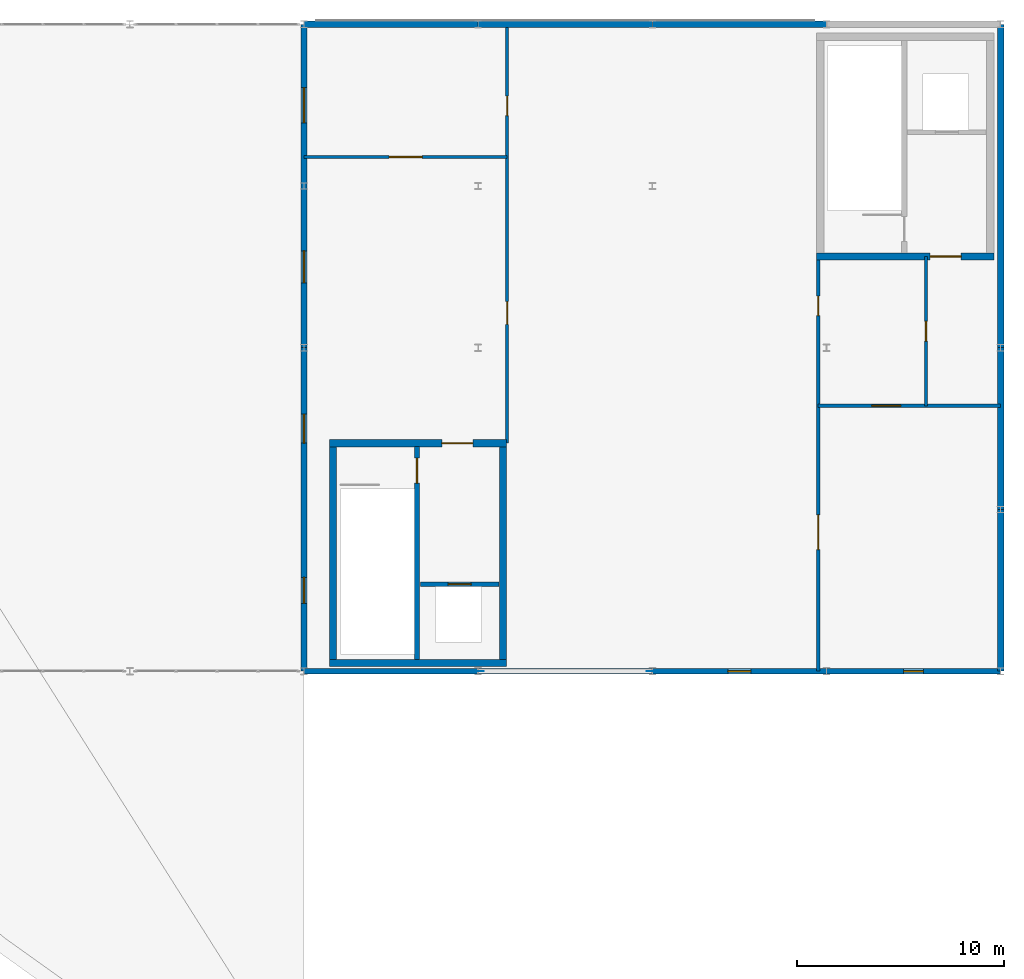
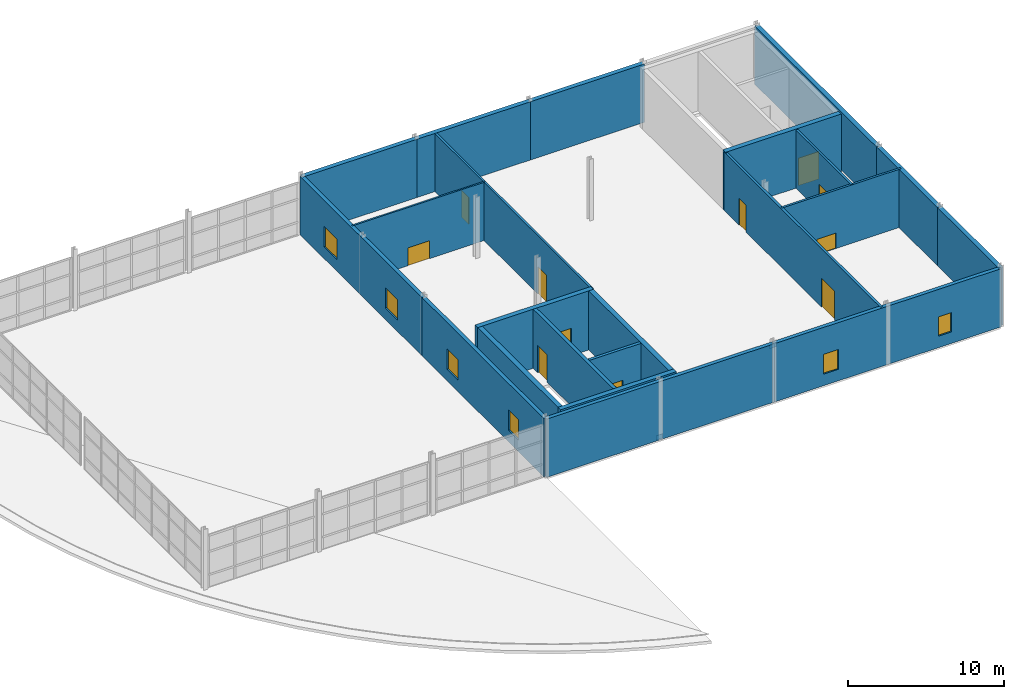
# One storey, part 12 of 14: 22 walls, 11 doors, 6 windows, 2 plates, 17 openings.
"""IFC4 building model written with IfcOpenShell, lengths in metres."""

from ifc_helpers import new_model, si_unit, direction, frame, frame_2d, origin, origin_2d, place, context, subcontext, project, spatial, rectangle, extrude, material, layer, layer_set, type_object, element, fill, save


model = new_model("IFC4")

# Units and contexts
model_context = context("Model", 3, precision=1e-05, world=origin(), true_north=direction((0.0, 1.0)))
body_context = subcontext(model_context, "Body", "Model", "MODEL_VIEW")
ifc_project = project(units=[si_unit("LENGTHUNIT", "METRE"), si_unit("AREAUNIT", "SQUARE_METRE"), si_unit("VOLUMEUNIT", "CUBIC_METRE"), si_unit("PLANEANGLEUNIT", "RADIAN"), si_unit("MASSUNIT", "GRAM", prefix="KILO")], contexts=[model_context])

# Site, building, storey
site_placement = place(None, origin())
site = spatial("IfcSite", under=ifc_project, at=site_placement, CompositionType="ELEMENT")
building_placement = place(site_placement, origin())
building = spatial("IfcBuilding", under=site, at=building_placement, Name="Selat Folded Stagehouse", CompositionType="ELEMENT")
storey_placement = place(building_placement, frame((0.0, 0.0, 27.60009765625)))
storey = spatial("IfcBuildingStorey", under=building, at=storey_placement, Name="L06", CompositionType="ELEMENT", Elevation=27.60009765625)

# Plates
ifc_material_1 = material(Name="Steel S355", Category="steel")
ifc_layer_1 = layer(ifc_material_1, 0.01806640625)
ifc_layer_set_1 = layer_set([ifc_layer_1], Name="Steel S355")
plate_type = type_object("IfcPlateType", Name="PLT-GUSSET-520x360x18", PredefinedType="USERDEFINED", material=ifc_layer_set_1)
for number, where, z_axis, x_axis, name in (
    (1, (42.0, 23.39990234375, -0.0302734375), (0.0, 0.0, 1.0), (1.0, 0.0, 0.0), "L06 VBR-07 end gusset plate 61"),
    (2, (50.39990234375, 23.39990234375, 4.169921875), (0.0, 0.0, 1.0), (1.0, 0.0, 0.0), "L06 VBR-07 end gusset plate 62"),
):
    element("IfcPlate", number, at=place(storey_placement, frame(where, z_axis=z_axis, x_axis=x_axis)), inside=storey, type_object=plate_type, Name=name, ObjectType="GUSSET_PLATE", PredefinedType="USERDEFINED", context=body_context, shape_type="SweptSolid", body=[
        extrude(rectangle(XDim=0.52001953125, YDim=0.01806640625, at=origin_2d()), origin(), (0.0, 0.0, 1.0), 0.360107421875),
    ])

# Wall, openings, doors
ifc_material_2 = material(Name="Concrete C40/50", Category="concrete")
ifc_layer_2 = layer(ifc_material_2, 0.179931640625)
ifc_layer_set_2 = layer_set([ifc_layer_2], Name="Concrete C40/50")
wall_type_1 = type_object("IfcWallType", Name="WAL-COMP-180", PredefinedType="STANDARD", material=ifc_layer_set_2)
wall_1_placement = place(storey_placement, frame((58.39990234375, 23.39990234375, 0.0), z_axis=(0.0, 0.0, 1.0), x_axis=(0.0, 1.0, 0.0)))
wall_1 = element("IfcWall", 3, at=wall_1_placement, inside=storey, type_object=wall_type_1, Name="L06 interior partition wall 132", PredefinedType="STANDARD", context=body_context, shape_type="SweptSolid", body=[
    extrude(rectangle(XDim=20.0, YDim=0.179931640625, at=frame_2d((10.0, 0.0))), origin(), (0.0, 0.0, 1.0), 4.552001953125),
])
opening_1_placement = place(wall_1_placement, frame((5.8623046875, 0.0, 0.0)))
opening_1 = element("IfcOpeningElement", 4, at=opening_1_placement, cuts=wall_1, Name="Opening PD-01", PredefinedType="OPENING", context=body_context, shape_type="SweptSolid", body=[
    extrude(rectangle(XDim=1.679931640625, YDim=2.25, at=frame_2d((0.83984375, 1.125))), frame((0.0, 0.099853515625, 0.0), z_axis=(0.0, -1.0, 0.0), x_axis=(1.0, 0.0, 0.0)), (0.0, 0.0, 1.0), 0.199951171875),
])
opening_2_placement = place(wall_1_placement, frame((17.154052734375, 0.0, 0.0)))
opening_2 = element("IfcOpeningElement", 5, at=opening_2_placement, cuts=wall_1, Name="Opening ID-03", PredefinedType="OPENING", context=body_context, shape_type="SweptSolid", body=[
    extrude(rectangle(XDim=0.93994140625, YDim=2.10009765625, at=frame_2d((0.469970703125, 1.050048828125))), frame((0.0, 0.099853515625, 0.0), z_axis=(0.0, -1.0, 0.0), x_axis=(1.0, 0.0, 0.0)), (0.0, 0.0, 1.0), 0.199951171875),
])
ifc_material_3 = material(Name="Backstage room single door", Category="wood")
door_type_1 = type_object("IfcDoorType", Name="DOR-GEN-0940", OperationType="NOTDEFINED", PredefinedType="DOOR", material=ifc_material_3)
door_1_placement = place(opening_2_placement, origin())
door_1 = element("IfcDoor", 6, at=door_1_placement, inside=storey, type_object=door_type_1, Name="L06 interior door IWAL-L06-132-2", OperationType="SINGLE_SWING_LEFT", OverallHeight=2.10009765625, OverallWidth=0.93994140625, PredefinedType="DOOR", context=body_context, shape_type="SweptSolid", body=[
    extrude(rectangle(XDim=0.93994140625, YDim=2.10009765625, at=frame_2d((0.469970703125, 1.050048828125))), frame((0.0, 0.02490234375, 0.0), z_axis=(0.0, -1.0, 0.0), x_axis=(1.0, 0.0, 0.0)), (0.0, 0.0, 1.0), 0.050048828125),
])
fill(opening_2, door_1)
ifc_material_4 = material(Name="Plant room steel double door", Category="steel")
door_type_2 = type_object("IfcDoorType", Name="DOR-PLT-1680", OperationType="NOTDEFINED", PredefinedType="DOOR", material=ifc_material_4)
door_2_placement = place(opening_1_placement, origin())
door_2 = element("IfcDoor", 7, at=door_2_placement, inside=storey, type_object=door_type_2, Name="L06 interior door IWAL-L06-132-1", OperationType="SINGLE_SWING_RIGHT", OverallHeight=2.25, OverallWidth=1.679931640625, PredefinedType="DOOR", context=body_context, shape_type="SweptSolid", body=[
    extrude(rectangle(XDim=1.679931640625, YDim=2.25, at=frame_2d((0.83984375, 1.125))), frame((0.0, 0.02490234375, 0.0), z_axis=(0.0, -1.0, 0.0), x_axis=(1.0, 0.0, 0.0)), (0.0, 0.0, 1.0), 0.050048828125),
])
fill(opening_1, door_2)

# Wall, opening, door
ifc_layer_3 = layer(ifc_material_2, 0.215087890625)
ifc_layer_set_3 = layer_set([ifc_layer_3], Name="Concrete C40/50")
wall_type_2 = type_object("IfcWallType", Name="WAL-COMP-215", PredefinedType="STANDARD", material=ifc_layer_set_3)
wall_2_placement = place(storey_placement, frame((39.2099609375, 27.60009765625, 0.0), z_axis=(0.0, 0.0, 1.0), x_axis=(1.0, 0.0, 0.0)))
wall_2 = element("IfcWall", 8, at=wall_2_placement, inside=storey, type_object=wall_type_2, Name="L06 FL-01 lift shaft front wall", PredefinedType="STANDARD", context=body_context, shape_type="SweptSolid", body=[
    extrude(rectangle(XDim=3.794921875, YDim=0.215087890625, at=frame_2d((1.8974609375, 0.0))), origin(), (0.0, 0.0, 1.0), 4.61181640625),
])
opening_3_placement = place(wall_2_placement, frame((1.347412109375, 0.0, 0.0)))
opening_3 = element("IfcOpeningElement", 9, at=opening_3_placement, cuts=wall_2, Name="Opening LD-01", PredefinedType="OPENING", context=body_context, shape_type="SweptSolid", body=[
    extrude(rectangle(XDim=1.10009765625, YDim=2.199951171875, at=frame_2d((0.550048828125, 1.10009765625))), frame((0.0, 0.117431640625, 0.0), z_axis=(0.0, -1.0, 0.0), x_axis=(1.0, 0.0, 0.0)), (0.0, 0.0, 1.0), 0.235107421875),
])
ifc_material_5 = material(Name="Firefighting lift stainless sliding landing door", Category="wood")
door_type_3 = type_object("IfcDoorType", Name="DOR-LFT-1100", OperationType="NOTDEFINED", PredefinedType="DOOR", material=ifc_material_5)
door_3_placement = place(opening_3_placement, origin())
door_3 = element("IfcDoor", 10, at=door_3_placement, inside=storey, type_object=door_type_3, Name="L06 FL-01 lift sliding landing door", OperationType="SLIDING_TO_LEFT", OverallHeight=2.199951171875, OverallWidth=1.10009765625, PredefinedType="DOOR", context=body_context, shape_type="SweptSolid", body=[
    extrude(rectangle(XDim=1.10009765625, YDim=2.199951171875, at=frame_2d((0.550048828125, 1.10009765625))), frame((0.0, 0.02490234375, 0.0), z_axis=(0.0, -1.0, 0.0), x_axis=(1.0, 0.0, 0.0)), (0.0, 0.0, 1.0), 0.050048828125),
])
fill(opening_3, door_3)

ifc_material_6 = material(Name="Concrete C50/60", Category="concrete")
ifc_layer_4 = layer(ifc_material_6, 0.25)
ifc_layer_set_4 = layer_set([ifc_layer_4], Name="Concrete C50/60")
wall_type_3 = type_object("IfcWallType", Name="WAL-CORE-250", PredefinedType="SHEAR", material=ifc_layer_set_4)
wall_3_placement = place(storey_placement, frame((39.050048828125, 34.22509765625, 0.0), z_axis=(0.0, 0.0, 1.0), x_axis=(0.0, -1.0, 0.0)))
wall_3 = element("IfcWall", 11, at=wall_3_placement, inside=storey, type_object=wall_type_3, Name="L06 CR-1 internal core divider wall", PredefinedType="SHEAR", context=body_context, shape_type="SweptSolid", body=[
    extrude(rectangle(XDim=10.25, YDim=0.25, at=frame_2d((5.125, 0.0))), origin(), (0.0, 0.0, 1.0), 4.619873046875),
])
opening_4_placement = place(wall_3_placement, frame((0.550048828125, 0.0, 0.0)))
opening_4 = element("IfcOpeningElement", 12, at=opening_4_placement, cuts=wall_3, Name="Opening FD-120", PredefinedType="OPENING", context=body_context, shape_type="SweptSolid", body=[
    extrude(rectangle(XDim=1.199951171875, YDim=2.14990234375, at=frame_2d((0.60009765625, 1.074951171875))), frame((0.0, 0.135009765625, 0.0), z_axis=(0.0, -1.0, 0.0), x_axis=(1.0, 0.0, 0.0)), (0.0, 0.0, 1.0), 0.27001953125),
])
ifc_material_7 = material(Name="Fire-rated steel acoustic door", Category="steel")
door_type_4 = type_object("IfcDoorType", Name="DOR-FIRE-120", OperationType="NOTDEFINED", PredefinedType="DOOR", material=ifc_material_7)
door_4_placement = place(opening_4_placement, origin())
door_4 = element("IfcDoor", 13, at=door_4_placement, inside=storey, type_object=door_type_4, Name="L06 CR-1 protected stair fire door", OperationType="SINGLE_SWING_LEFT", OverallHeight=2.14990234375, OverallWidth=1.199951171875, PredefinedType="DOOR", context=body_context, shape_type="SweptSolid", body=[
    extrude(rectangle(XDim=1.199951171875, YDim=2.14990234375, at=frame_2d((0.60009765625, 1.074951171875))), frame((0.0, 0.02490234375, 0.0), z_axis=(0.0, -1.0, 0.0), x_axis=(1.0, 0.0, 0.0)), (0.0, 0.0, 1.0), 0.050048828125),
])
fill(opening_4, door_4)

# Wall, openings, windows
ifc_material_8 = material(Name="Precast concrete C40/50", Category="concrete")
ifc_layer_5 = layer(ifc_material_8, 0.27490234375)
ifc_layer_set_5 = layer_set([ifc_layer_5], Name="Precast concrete C40/50")
wall_type_4 = type_object("IfcWallType", Name="WAL-EXT-275", PredefinedType="STANDARD", material=ifc_layer_set_5)
wall_4_placement = place(storey_placement, frame((67.199951171875, 23.39990234375, 0.0), z_axis=(0.0, 0.0, 1.0), x_axis=(-1.0, 0.0, 0.0)))
wall_4 = element("IfcWall", 14, at=wall_4_placement, inside=storey, type_object=wall_type_4, Name="L06 exterior facade wall EW-L06-V2S-1", PredefinedType="STANDARD", context=body_context, shape_type="SweptSolid", body=[
    extrude(rectangle(XDim=16.800048828125, YDim=0.27490234375, at=frame_2d((8.39990234375, 0.0))), origin(), (0.0, 0.0, 1.0), 4.552001953125),
])
opening_5_placement = place(wall_4_placement, frame((3.72509765625, 0.0, 0.89990234375)))
opening_5 = element("IfcOpeningElement", 15, at=opening_5_placement, cuts=wall_4, Name="Opening WN-26", PredefinedType="OPENING", context=body_context, shape_type="SweptSolid", body=[
    extrude(rectangle(XDim=0.949951171875, YDim=1.5, at=frame_2d((0.47509765625, 0.75))), frame((0.0, 0.1474609375, 0.0), z_axis=(0.0, -1.0, 0.0), x_axis=(1.0, 0.0, 0.0)), (0.0, 0.0, 1.0), 0.294921875),
])
opening_6_placement = place(wall_4_placement, frame((12.050048828125, 0.0, 0.89990234375)))
opening_6 = element("IfcOpeningElement", 16, at=opening_6_placement, cuts=wall_4, Name="Opening WN-25", PredefinedType="OPENING", context=body_context, shape_type="SweptSolid", body=[
    extrude(rectangle(XDim=1.10009765625, YDim=1.550048828125, at=frame_2d((0.550048828125, 0.77490234375))), frame((0.0, 0.1474609375, 0.0), z_axis=(0.0, -1.0, 0.0), x_axis=(1.0, 0.0, 0.0)), (0.0, 0.0, 1.0), 0.294921875),
])
ifc_material_9 = material(Name="Thermally broken aluminium and acoustic low-E glass", Category="aluminium")
window_type_1 = type_object("IfcWindowType", Name="WIN-DR-0950x1500", PartitioningType="SINGLE_PANEL", PredefinedType="WINDOW", material=ifc_material_9)
window_1_placement = place(opening_5_placement, origin())
window_1 = element("IfcWindow", 17, at=window_1_placement, inside=storey, type_object=window_type_1, Name="L06 exterior window EW-L06-V2S-1-1", OverallHeight=1.5, OverallWidth=0.949951171875, PartitioningType="SINGLE_PANEL", PredefinedType="WINDOW", context=body_context, shape_type="SweptSolid", body=[
    extrude(rectangle(XDim=0.949951171875, YDim=1.5, at=frame_2d((0.47509765625, 0.75))), frame((0.0, 0.030029296875, 0.0), z_axis=(0.0, -1.0, 0.0), x_axis=(1.0, 0.0, 0.0)), (0.0, 0.0, 1.0), 0.06005859375),
])
fill(opening_5, window_1)
window_type_2 = type_object("IfcWindowType", Name="WIN-DR-1100x1550", PartitioningType="SINGLE_PANEL", PredefinedType="WINDOW", material=ifc_material_9)
window_2_placement = place(opening_6_placement, origin())
window_2 = element("IfcWindow", 18, at=window_2_placement, inside=storey, type_object=window_type_2, Name="L06 exterior window EW-L06-V2S-1-2", OverallHeight=1.550048828125, OverallWidth=1.10009765625, PartitioningType="SINGLE_PANEL", PredefinedType="WINDOW", context=body_context, shape_type="SweptSolid", body=[
    extrude(rectangle(XDim=1.10009765625, YDim=1.550048828125, at=frame_2d((0.550048828125, 0.77490234375))), frame((0.0, 0.030029296875, 0.0), z_axis=(0.0, -1.0, 0.0), x_axis=(1.0, 0.0, 0.0)), (0.0, 0.0, 1.0), 0.06005859375),
])
fill(opening_6, window_2)

# Wall
wall_5_placement = place(storey_placement, frame((50.39990234375, 23.39990234375, 0.0), z_axis=(0.0, 0.0, 1.0), x_axis=(-1.0, 0.0, 0.0)))
element("IfcWall", 19, at=wall_5_placement, inside=storey, type_object=wall_type_4, Name="L06 exterior facade wall EW-L06-V2S-2", PredefinedType="STANDARD", context=body_context, shape_type="SweptSolid", body=[
    extrude(rectangle(XDim=16.7998046875, YDim=0.27490234375, at=frame_2d((8.39990234375, 0.0))), origin(), (0.0, 0.0, 1.0), 4.552001953125),
])

# Wall, openings, windows
wall_6_placement = place(storey_placement, frame((33.60009765625, 23.39990234375, 0.0), z_axis=(0.0, 0.0, 1.0), x_axis=(0.0, 1.0, 0.0)))
wall_6 = element("IfcWall", 20, at=wall_6_placement, inside=storey, type_object=wall_type_4, Name="L06 exterior facade wall EW-L06-V2W-1", PredefinedType="STANDARD", context=body_context, shape_type="SweptSolid", body=[
    extrude(rectangle(XDim=15.60009765625, YDim=0.27490234375, at=frame_2d((7.800048828125, 0.0))), origin(), (0.0, 0.0, 1.0), 4.552001953125),
])
opening_7_placement = place(wall_6_placement, frame((3.27490234375, 0.0, 0.89990234375)))
opening_7 = element("IfcOpeningElement", 21, at=opening_7_placement, cuts=wall_6, Name="Opening WN-24", PredefinedType="OPENING", context=body_context, shape_type="SweptSolid", body=[
    extrude(rectangle(XDim=1.25, YDim=1.60009765625, at=frame_2d((0.625, 0.800048828125))), frame((0.0, 0.1474609375, 0.0), z_axis=(0.0, -1.0, 0.0), x_axis=(1.0, 0.0, 0.0)), (0.0, 0.0, 1.0), 0.294921875),
])
opening_8_placement = place(wall_6_placement, frame((11.0, 0.0, 0.89990234375)))
opening_8 = element("IfcOpeningElement", 22, at=opening_8_placement, cuts=wall_6, Name="Opening WN-23", PredefinedType="OPENING", context=body_context, shape_type="SweptSolid", body=[
    extrude(rectangle(XDim=1.39990234375, YDim=1.60009765625, at=frame_2d((0.699951171875, 0.800048828125))), frame((0.0, 0.1474609375, 0.0), z_axis=(0.0, -1.0, 0.0), x_axis=(1.0, 0.0, 0.0)), (0.0, 0.0, 1.0), 0.294921875),
])
window_type_3 = type_object("IfcWindowType", Name="WIN-DR-1250x1600", PartitioningType="SINGLE_PANEL", PredefinedType="WINDOW", material=ifc_material_9)
window_3_placement = place(opening_7_placement, origin())
window_3 = element("IfcWindow", 23, at=window_3_placement, inside=storey, type_object=window_type_3, Name="L06 exterior window EW-L06-V2W-1-1", OverallHeight=1.60009765625, OverallWidth=1.25, PartitioningType="SINGLE_PANEL", PredefinedType="WINDOW", context=body_context, shape_type="SweptSolid", body=[
    extrude(rectangle(XDim=1.25, YDim=1.60009765625, at=frame_2d((0.625, 0.800048828125))), frame((0.0, 0.030029296875, 0.0), z_axis=(0.0, -1.0, 0.0), x_axis=(1.0, 0.0, 0.0)), (0.0, 0.0, 1.0), 0.06005859375),
])
fill(opening_7, window_3)
window_type_4 = type_object("IfcWindowType", Name="WIN-DR-1400x1600", PartitioningType="SINGLE_PANEL", PredefinedType="WINDOW", material=ifc_material_9)
window_4_placement = place(opening_8_placement, origin())
window_4 = element("IfcWindow", 24, at=window_4_placement, inside=storey, type_object=window_type_4, Name="L06 exterior window EW-L06-V2W-1-2", OverallHeight=1.60009765625, OverallWidth=1.39990234375, PartitioningType="SINGLE_PANEL", PredefinedType="WINDOW", context=body_context, shape_type="SweptSolid", body=[
    extrude(rectangle(XDim=1.39990234375, YDim=1.60009765625, at=frame_2d((0.699951171875, 0.800048828125))), frame((0.0, 0.030029296875, 0.0), z_axis=(0.0, -1.0, 0.0), x_axis=(1.0, 0.0, 0.0)), (0.0, 0.0, 1.0), 0.06005859375),
])
fill(opening_8, window_4)

wall_7_placement = place(storey_placement, frame((33.60009765625, 39.0, 0.0), z_axis=(0.0, 0.0, 1.0), x_axis=(0.0, 1.0, 0.0)))
wall_7 = element("IfcWall", 25, at=wall_7_placement, inside=storey, type_object=wall_type_4, Name="L06 exterior facade wall EW-L06-V2W-2", PredefinedType="STANDARD", context=body_context, shape_type="SweptSolid", body=[
    extrude(rectangle(XDim=15.60009765625, YDim=0.27490234375, at=frame_2d((7.800048828125, 0.0))), origin(), (0.0, 0.0, 1.0), 4.552001953125),
])
opening_9_placement = place(wall_7_placement, frame((3.125, 0.0, 0.89990234375)))
opening_9 = element("IfcOpeningElement", 26, at=opening_9_placement, cuts=wall_7, Name="Opening WN-22", PredefinedType="OPENING", context=body_context, shape_type="SweptSolid", body=[
    extrude(rectangle(XDim=1.550048828125, YDim=1.60009765625, at=frame_2d((0.77490234375, 0.800048828125))), frame((0.0, 0.1474609375, 0.0), z_axis=(0.0, -1.0, 0.0), x_axis=(1.0, 0.0, 0.0)), (0.0, 0.0, 1.0), 0.294921875),
])
opening_10_placement = place(wall_7_placement, frame((10.85009765625, 0.0, 0.89990234375)))
opening_10 = element("IfcOpeningElement", 27, at=opening_10_placement, cuts=wall_7, Name="Opening WN-21", PredefinedType="OPENING", context=body_context, shape_type="SweptSolid", body=[
    extrude(rectangle(XDim=1.699951171875, YDim=1.60009765625, at=frame_2d((0.85009765625, 0.800048828125))), frame((0.0, 0.1474609375, 0.0), z_axis=(0.0, -1.0, 0.0), x_axis=(1.0, 0.0, 0.0)), (0.0, 0.0, 1.0), 0.294921875),
])
window_type_5 = type_object("IfcWindowType", Name="WIN-DR-1550x1600", PartitioningType="SINGLE_PANEL", PredefinedType="WINDOW", material=ifc_material_9)
window_5_placement = place(opening_9_placement, origin())
window_5 = element("IfcWindow", 28, at=window_5_placement, inside=storey, type_object=window_type_5, Name="L06 exterior window EW-L06-V2W-2-1", OverallHeight=1.60009765625, OverallWidth=1.550048828125, PartitioningType="SINGLE_PANEL", PredefinedType="WINDOW", context=body_context, shape_type="SweptSolid", body=[
    extrude(rectangle(XDim=1.550048828125, YDim=1.60009765625, at=frame_2d((0.77490234375, 0.800048828125))), frame((0.0, 0.030029296875, 0.0), z_axis=(0.0, -1.0, 0.0), x_axis=(1.0, 0.0, 0.0)), (0.0, 0.0, 1.0), 0.06005859375),
])
fill(opening_9, window_5)
window_type_6 = type_object("IfcWindowType", Name="WIN-DR-1700x1600", PartitioningType="SINGLE_PANEL", PredefinedType="WINDOW", material=ifc_material_9)
window_6_placement = place(opening_10_placement, origin())
window_6 = element("IfcWindow", 29, at=window_6_placement, inside=storey, type_object=window_type_6, Name="L06 exterior window EW-L06-V2W-2-2", OverallHeight=1.60009765625, OverallWidth=1.699951171875, PartitioningType="SINGLE_PANEL", PredefinedType="WINDOW", context=body_context, shape_type="SweptSolid", body=[
    extrude(rectangle(XDim=1.699951171875, YDim=1.60009765625, at=frame_2d((0.85009765625, 0.800048828125))), frame((0.0, 0.030029296875, 0.0), z_axis=(0.0, -1.0, 0.0), x_axis=(1.0, 0.0, 0.0)), (0.0, 0.0, 1.0), 0.06005859375),
])
fill(opening_10, window_6)

# Walls
ifc_layer_6 = layer(ifc_material_8, 0.324951171875)
ifc_layer_set_6 = layer_set([ifc_layer_6], Name="Precast concrete C40/50")
wall_type_5 = type_object("IfcWallType", Name="WAL-EXT-325", PredefinedType="STANDARD", material=ifc_layer_set_6)
for number, where, z_axis, x_axis, name in (
    (30, (33.60009765625, 54.60009765625, 0.0), (0.0, 0.0, 1.0), (1.0, 0.0, 0.0), "L06 exterior facade wall EW-L06-V2N-33"),
    (31, (42.0, 54.60009765625, 0.0), (0.0, 0.0, 1.0), (1.0, 0.0, 0.0), "L06 exterior facade wall EW-L06-V2N-42"),
):
    element("IfcWall", number, at=place(storey_placement, frame(where, z_axis=z_axis, x_axis=x_axis)), inside=storey, type_object=wall_type_5, Name=name, PredefinedType="STANDARD", context=body_context, shape_type="SweptSolid", body=[
        extrude(rectangle(XDim=8.39990234375, YDim=0.324951171875, at=frame_2d((4.199951171875, 0.0))), origin(), (0.0, 0.0, 1.0), 4.552001953125),
    ])
wall_8_placement = place(storey_placement, frame((50.39990234375, 54.60009765625, 0.0), z_axis=(0.0, 0.0, 1.0), x_axis=(1.0, 0.0, 0.0)))
element("IfcWall", 32, at=wall_8_placement, inside=storey, type_object=wall_type_5, Name="L06 exterior facade wall EW-L06-V2N-50", PredefinedType="STANDARD", context=body_context, shape_type="SweptSolid", body=[
    extrude(rectangle(XDim=8.400146484375, YDim=0.324951171875, at=frame_2d((4.2001953125, 0.0))), origin(), (0.0, 0.0, 1.0), 4.552001953125),
])
wall_9_placement = place(storey_placement, frame((67.199951171875, 54.60009765625, 0.0), z_axis=(0.0, 0.0, 1.0), x_axis=(0.0, -1.0, 0.0)))
element("IfcWall", 33, at=wall_9_placement, inside=storey, type_object=wall_type_5, Name="L06 exterior facade wall EW-L06-V2E-39", PredefinedType="STANDARD", context=body_context, shape_type="SweptSolid", body=[
    extrude(rectangle(XDim=15.60009765625, YDim=0.324951171875, at=frame_2d((7.800048828125, 0.0))), origin(), (0.0, 0.0, 1.0), 4.552001953125),
])
for number, where, z_axis, x_axis, name in (
    (34, (67.199951171875, 39.0, 0.0), (0.0, 0.0, 1.0), (0.0, -1.0, 0.0), "L06 exterior facade wall EW-L06-V2E-31"),
    (35, (67.199951171875, 31.199951171875, 0.0), (0.0, 0.0, 1.0), (0.0, -1.0, 0.0), "L06 exterior facade wall EW-L06-V2E-23"),
):
    element("IfcWall", number, at=place(storey_placement, frame(where, z_axis=z_axis, x_axis=x_axis)), inside=storey, type_object=wall_type_5, Name=name, PredefinedType="STANDARD", context=body_context, shape_type="SweptSolid", body=[
        extrude(rectangle(XDim=7.800048828125, YDim=0.324951171875, at=frame_2d((3.89990234375, 0.0))), origin(), (0.0, 0.0, 1.0), 4.552001953125),
    ])

# Wall, opening, door
ifc_material_10 = material(Name="Standard acoustic drywall partition", Category="gypsum")
ifc_layer_7 = layer(ifc_material_10, 0.125)
ifc_layer_set_7 = layer_set([ifc_layer_7], Name="Standard acoustic drywall partition")
wall_type_6 = type_object("IfcWallType", Name="WAL-PART-125", PredefinedType="PARTITIONING", material=ifc_layer_set_7)
wall_10_placement = place(storey_placement, frame((33.60009765625, 48.199951171875, 0.0), z_axis=(0.0, 0.0, 1.0), x_axis=(1.0, 0.0, 0.0)))
wall_10 = element("IfcWall", 36, at=wall_10_placement, inside=storey, type_object=wall_type_6, Name="L06 interior partition wall 131", PredefinedType="PARTITIONING", context=body_context, shape_type="SweptSolid", body=[
    extrude(rectangle(XDim=9.7998046875, YDim=0.125, at=frame_2d((4.89990234375, 0.0))), origin(), (0.0, 0.0, 1.0), 4.552001953125),
])
opening_11_placement = place(wall_10_placement, frame((4.10009765625, 0.0, 0.0)))
opening_11 = element("IfcOpeningElement", 37, at=opening_11_placement, cuts=wall_10, Name="Opening TD-01", PredefinedType="OPENING", context=body_context, shape_type="SweptSolid", body=[
    extrude(rectangle(XDim=1.60009765625, YDim=1.39990234375, at=frame_2d((0.800048828125, 0.699951171875))), frame((0.0, 0.072509765625, 0.0), z_axis=(0.0, -1.0, 0.0), x_axis=(1.0, 0.0, 0.0)), (0.0, 0.0, 1.0), 0.14501953125),
])
ifc_material_11 = material(Name="Galvanised acoustic steel", Category="steel")
door_type_5 = type_object("IfcDoorType", Name="TRP-SMK-1600x1400", OperationType="NOTDEFINED", PredefinedType="TRAPDOOR", material=ifc_material_11)
door_5_placement = place(opening_11_placement, origin())
door_5 = element("IfcDoor", 38, at=door_5_placement, inside=storey, type_object=door_type_5, Name="L06 interior door IWAL-L06-131-1", OperationType="SWING_FIXED_LEFT", OverallHeight=1.39990234375, OverallWidth=1.60009765625, PredefinedType="TRAPDOOR", context=body_context, shape_type="SweptSolid", body=[
    extrude(rectangle(XDim=1.60009765625, YDim=1.39990234375, at=frame_2d((0.800048828125, 0.699951171875))), frame((0.0, 0.02490234375, 0.0), z_axis=(0.0, -1.0, 0.0), x_axis=(1.0, 0.0, 0.0)), (0.0, 0.0, 1.0), 0.050048828125),
])
fill(opening_11, door_5)

# Wall, openings, doors
ifc_material_12 = material(Name="Fire-rated drywall stud partition", Category="gypsum")
ifc_layer_8 = layer(ifc_material_12, 0.14990234375)
ifc_layer_set_8 = layer_set([ifc_layer_8], Name="Fire-rated drywall stud partition")
wall_type_7 = type_object("IfcWallType", Name="WAL-PART-150", PredefinedType="PARTITIONING", material=ifc_layer_set_8)
wall_11_placement = place(storey_placement, frame((43.39990234375, 34.39990234375, 0.0), z_axis=(0.0, 0.0, 1.0), x_axis=(0.0, 1.0, 0.0)))
wall_11 = element("IfcWall", 39, at=wall_11_placement, inside=storey, type_object=wall_type_7, Name="L06 interior partition wall 130", PredefinedType="PARTITIONING", context=body_context, shape_type="SweptSolid", body=[
    extrude(rectangle(XDim=20.2001953125, YDim=0.14990234375, at=frame_2d((10.10009765625, 0.0))), origin(), (0.0, 0.0, 1.0), 4.552001953125),
])
opening_12_placement = place(wall_11_placement, frame((5.72998046875, 0.0, 0.0)))
opening_12 = element("IfcOpeningElement", 40, at=opening_12_placement, cuts=wall_11, Name="Opening FD-60", PredefinedType="OPENING", context=body_context, shape_type="SweptSolid", body=[
    extrude(rectangle(XDim=1.10009765625, YDim=2.14990234375, at=frame_2d((0.550048828125, 1.074951171875))), frame((0.0, 0.0849609375, 0.0), z_axis=(0.0, -1.0, 0.0), x_axis=(1.0, 0.0, 0.0)), (0.0, 0.0, 1.0), 0.169921875),
])
opening_13_placement = place(wall_11_placement, frame((15.793212890625, 0.0, 0.0)))
opening_13 = element("IfcOpeningElement", 41, at=opening_13_placement, cuts=wall_11, Name="Opening ID-03", PredefinedType="OPENING", context=body_context, shape_type="SweptSolid", body=[
    extrude(rectangle(XDim=0.93994140625, YDim=2.10009765625, at=frame_2d((0.469970703125, 1.050048828125))), frame((0.0, 0.0849609375, 0.0), z_axis=(0.0, -1.0, 0.0), x_axis=(1.0, 0.0, 0.0)), (0.0, 0.0, 1.0), 0.169921875),
])
ifc_material_13 = material(Name="Fire-rated timber core door", Category="wood")
door_type_6 = type_object("IfcDoorType", Name="DOR-FIRE-60", OperationType="NOTDEFINED", PredefinedType="DOOR", material=ifc_material_13)
door_6_placement = place(opening_12_placement, origin())
door_6 = element("IfcDoor", 42, at=door_6_placement, inside=storey, type_object=door_type_6, Name="L06 interior door IWAL-L06-130-1", OperationType="SINGLE_SWING_RIGHT", OverallHeight=2.14990234375, OverallWidth=1.10009765625, PredefinedType="DOOR", context=body_context, shape_type="SweptSolid", body=[
    extrude(rectangle(XDim=1.10009765625, YDim=2.14990234375, at=frame_2d((0.550048828125, 1.074951171875))), frame((0.0, 0.02490234375, 0.0), z_axis=(0.0, -1.0, 0.0), x_axis=(1.0, 0.0, 0.0)), (0.0, 0.0, 1.0), 0.050048828125),
])
fill(opening_12, door_6)
door_7_placement = place(opening_13_placement, origin())
door_7 = element("IfcDoor", 43, at=door_7_placement, inside=storey, type_object=door_type_1, Name="L06 interior door IWAL-L06-130-2", OperationType="SINGLE_SWING_LEFT", OverallHeight=2.10009765625, OverallWidth=0.93994140625, PredefinedType="DOOR", context=body_context, shape_type="SweptSolid", body=[
    extrude(rectangle(XDim=0.93994140625, YDim=2.10009765625, at=frame_2d((0.469970703125, 1.050048828125))), frame((0.0, 0.02490234375, 0.0), z_axis=(0.0, -1.0, 0.0), x_axis=(1.0, 0.0, 0.0)), (0.0, 0.0, 1.0), 0.050048828125),
])
fill(opening_13, door_7)

# Wall, opening, door
ifc_material_14 = material(Name="Moisture-resistant sanitary service wall", Category="gypsum")
ifc_layer_9 = layer(ifc_material_14, 0.159912109375)
ifc_layer_set_9 = layer_set([ifc_layer_9], Name="Moisture-resistant sanitary service wall")
wall_type_8 = type_object("IfcWallType", Name="WAL-PLMB-160", PredefinedType="PLUMBINGWALL", material=ifc_layer_set_9)
wall_12_placement = place(storey_placement, frame((58.39990234375, 36.199951171875, 0.0), z_axis=(0.0, 0.0, 1.0), x_axis=(1.0, 0.0, 0.0)))
wall_12 = element("IfcWall", 44, at=wall_12_placement, inside=storey, type_object=wall_type_8, Name="L06 interior partition wall 133", PredefinedType="PLUMBINGWALL", context=body_context, shape_type="SweptSolid", body=[
    extrude(rectangle(XDim=8.800048828125, YDim=0.159912109375, at=frame_2d((4.39990234375, 0.0))), origin(), (0.0, 0.0, 1.0), 4.552001953125),
])
opening_14_placement = place(wall_12_placement, frame((2.590087890625, 0.0, 0.0)))
opening_14 = element("IfcOpeningElement", 45, at=opening_14_placement, cuts=wall_12, Name="Opening TD-02", PredefinedType="OPENING", context=body_context, shape_type="SweptSolid", body=[
    extrude(rectangle(XDim=1.39990234375, YDim=1.199951171875, at=frame_2d((0.699951171875, 0.60009765625))), frame((0.0, 0.08984375, 0.0), z_axis=(0.0, -1.0, 0.0), x_axis=(1.0, 0.0, 0.0)), (0.0, 0.0, 1.0), 0.179931640625),
])
door_type_7 = type_object("IfcDoorType", Name="TRP-SMK-1400x1200", OperationType="NOTDEFINED", PredefinedType="TRAPDOOR", material=ifc_material_11)
door_8_placement = place(opening_14_placement, origin())
door_8 = element("IfcDoor", 46, at=door_8_placement, inside=storey, type_object=door_type_7, Name="L06 interior door IWAL-L06-133-1", OperationType="SWING_FIXED_LEFT", OverallHeight=1.199951171875, OverallWidth=1.39990234375, PredefinedType="TRAPDOOR", context=body_context, shape_type="SweptSolid", body=[
    extrude(rectangle(XDim=1.39990234375, YDim=1.199951171875, at=frame_2d((0.699951171875, 0.60009765625))), frame((0.0, 0.02490234375, 0.0), z_axis=(0.0, -1.0, 0.0), x_axis=(1.0, 0.0, 0.0)), (0.0, 0.0, 1.0), 0.050048828125),
])
fill(opening_14, door_8)

wall_13_placement = place(storey_placement, frame((63.60009765625, 36.199951171875, 0.0), z_axis=(0.0, 0.0, 1.0), x_axis=(0.0, 1.0, 0.0)))
wall_13 = element("IfcWall", 47, at=wall_13_placement, inside=storey, type_object=wall_type_8, Name="L06 interior partition wall 134", PredefinedType="PLUMBINGWALL", context=body_context, shape_type="SweptSolid", body=[
    extrude(rectangle(XDim=7.199951171875, YDim=0.159912109375, at=frame_2d((3.60009765625, 0.0))), origin(), (0.0, 0.0, 1.0), 4.552001953125),
])
opening_15_placement = place(wall_13_placement, frame((3.125, 0.0, 0.0)))
opening_15 = element("IfcOpeningElement", 48, at=opening_15_placement, cuts=wall_13, Name="Opening ID-04", PredefinedType="OPENING", context=body_context, shape_type="SweptSolid", body=[
    extrude(rectangle(XDim=0.949951171875, YDim=2.10009765625, at=frame_2d((0.47509765625, 1.050048828125))), frame((0.0, 0.08984375, 0.0), z_axis=(0.0, -1.0, 0.0), x_axis=(1.0, 0.0, 0.0)), (0.0, 0.0, 1.0), 0.179931640625),
])
ifc_material_15 = material(Name="Accessible toilet outward-opening door", Category="wood")
door_type_8 = type_object("IfcDoorType", Name="DOR-WC-0950", OperationType="NOTDEFINED", PredefinedType="DOOR", material=ifc_material_15)
door_9_placement = place(opening_15_placement, origin())
door_9 = element("IfcDoor", 49, at=door_9_placement, inside=storey, type_object=door_type_8, Name="L06 interior door IWAL-L06-134-1", OperationType="SINGLE_SWING_RIGHT", OverallHeight=2.10009765625, OverallWidth=0.949951171875, PredefinedType="DOOR", context=body_context, shape_type="SweptSolid", body=[
    extrude(rectangle(XDim=0.949951171875, YDim=2.10009765625, at=frame_2d((0.47509765625, 1.050048828125))), frame((0.0, 0.02490234375, 0.0), z_axis=(0.0, -1.0, 0.0), x_axis=(1.0, 0.0, 0.0)), (0.0, 0.0, 1.0), 0.050048828125),
])
fill(opening_15, door_9)

# Wall
ifc_layer_10 = layer(ifc_material_6, 0.35009765625)
ifc_layer_set_10 = layer_set([ifc_layer_10], Name="Concrete C50/60")
wall_type_9 = type_object("IfcWallType", Name="WAL-SW-350", PredefinedType="SHEAR", material=ifc_layer_set_10)
wall_14_placement = place(storey_placement, frame((43.375, 23.800048828125, 0.0), z_axis=(0.0, 0.0, 1.0), x_axis=(-1.0, 0.0, 0.0)))
element("IfcWall", 50, at=wall_14_placement, inside=storey, type_object=wall_type_9, Name="L06 CR-1 south shear wall", PredefinedType="SHEAR", context=body_context, shape_type="SweptSolid", body=[
    extrude(rectangle(XDim=8.550048828125, YDim=0.35009765625, at=frame_2d((4.27490234375, 0.0))), origin(), (0.0, 0.0, 1.0), 4.619873046875),
])

# Wall, opening, door
wall_15_placement = place(storey_placement, frame((34.824951171875, 34.39990234375, 0.0), z_axis=(0.0, 0.0, 1.0), x_axis=(1.0, 0.0, 0.0)))
wall_15 = element("IfcWall", 51, at=wall_15_placement, inside=storey, type_object=wall_type_9, Name="L06 CR-1 north shear wall", PredefinedType="SHEAR", context=body_context, shape_type="SweptSolid", body=[
    extrude(rectangle(XDim=8.550048828125, YDim=0.35009765625, at=frame_2d((4.27490234375, 0.0))), origin(), (0.0, 0.0, 1.0), 4.619873046875),
])
opening_16_placement = place(wall_15_placement, frame((5.425048828125, 0.0, 0.0)))
opening_16 = element("IfcOpeningElement", 52, at=opening_16_placement, cuts=wall_15, Name="Opening FD-120B", PredefinedType="OPENING", context=body_context, shape_type="SweptSolid", body=[
    extrude(rectangle(XDim=1.5, YDim=2.14990234375, at=frame_2d((0.75, 1.074951171875))), frame((0.0, 0.18505859375, 0.0), z_axis=(0.0, -1.0, 0.0), x_axis=(1.0, 0.0, 0.0)), (0.0, 0.0, 1.0), 0.3701171875),
])
ifc_material_16 = material(Name="Firefighting lobby double-leaf fire door", Category="wood")
door_type_9 = type_object("IfcDoorType", Name="DOR-FFL-1500", OperationType="NOTDEFINED", PredefinedType="DOOR", material=ifc_material_16)
door_10_placement = place(opening_16_placement, origin())
door_10 = element("IfcDoor", 53, at=door_10_placement, inside=storey, type_object=door_type_9, Name="L06 CR-1 core lobby fire door", OperationType="SINGLE_SWING_RIGHT", OverallHeight=2.14990234375, OverallWidth=1.5, PredefinedType="DOOR", context=body_context, shape_type="SweptSolid", body=[
    extrude(rectangle(XDim=1.5, YDim=2.14990234375, at=frame_2d((0.75, 1.074951171875))), frame((0.0, 0.02490234375, 0.0), z_axis=(0.0, -1.0, 0.0), x_axis=(1.0, 0.0, 0.0)), (0.0, 0.0, 1.0), 0.050048828125),
])
fill(opening_16, door_10)

# Walls
for number, where, z_axis, x_axis, name in (
    (54, (35.0, 23.97509765625, 0.0), (0.0, 0.0, 1.0), (0.0, 1.0, 0.0), "L06 CR-1 west shear wall"),
    (55, (43.199951171875, 34.22509765625, 0.0), (0.0, 0.0, 1.0), (0.0, -1.0, 0.0), "L06 CR-1 east shear wall"),
):
    element("IfcWall", number, at=place(storey_placement, frame(where, z_axis=z_axis, x_axis=x_axis)), inside=storey, type_object=wall_type_9, Name=name, PredefinedType="SHEAR", context=body_context, shape_type="SweptSolid", body=[
        extrude(rectangle(XDim=10.25, YDim=0.35009765625, at=frame_2d((5.125, 0.0))), origin(), (0.0, 0.0, 1.0), 4.619873046875),
    ])

# Wall, opening, door
wall_16_placement = place(storey_placement, frame((66.875, 43.39990234375, 0.0), z_axis=(0.0, 0.0, 1.0), x_axis=(-1.0, 0.0, 0.0)))
wall_16 = element("IfcWall", 56, at=wall_16_placement, inside=storey, type_object=wall_type_9, Name="L06 CR-2 south shear wall", PredefinedType="SHEAR", context=body_context, shape_type="SweptSolid", body=[
    extrude(rectangle(XDim=8.550048828125, YDim=0.35009765625, at=frame_2d((4.27490234375, 0.0))), origin(), (0.0, 0.0, 1.0), 4.619873046875),
])
opening_17_placement = place(wall_16_placement, frame((1.574951171875, 0.0, 0.0)))
opening_17 = element("IfcOpeningElement", 57, at=opening_17_placement, cuts=wall_16, Name="Opening FD-120B", PredefinedType="OPENING", context=body_context, shape_type="SweptSolid", body=[
    extrude(rectangle(XDim=1.5, YDim=2.14990234375, at=frame_2d((0.75, 1.074951171875))), frame((0.0, 0.18505859375, 0.0), z_axis=(0.0, -1.0, 0.0), x_axis=(1.0, 0.0, 0.0)), (0.0, 0.0, 1.0), 0.3701171875),
])
door_11_placement = place(opening_17_placement, origin())
door_11 = element("IfcDoor", 58, at=door_11_placement, inside=storey, type_object=door_type_9, Name="L06 CR-2 core lobby fire door", OperationType="SINGLE_SWING_RIGHT", OverallHeight=2.14990234375, OverallWidth=1.5, PredefinedType="DOOR", context=body_context, shape_type="SweptSolid", body=[
    extrude(rectangle(XDim=1.5, YDim=2.14990234375, at=frame_2d((0.75, 1.074951171875))), frame((0.0, 0.02490234375, 0.0), z_axis=(0.0, -1.0, 0.0), x_axis=(1.0, 0.0, 0.0)), (0.0, 0.0, 1.0), 0.050048828125),
])
fill(opening_17, door_11)

save(model, "model.ifc")
